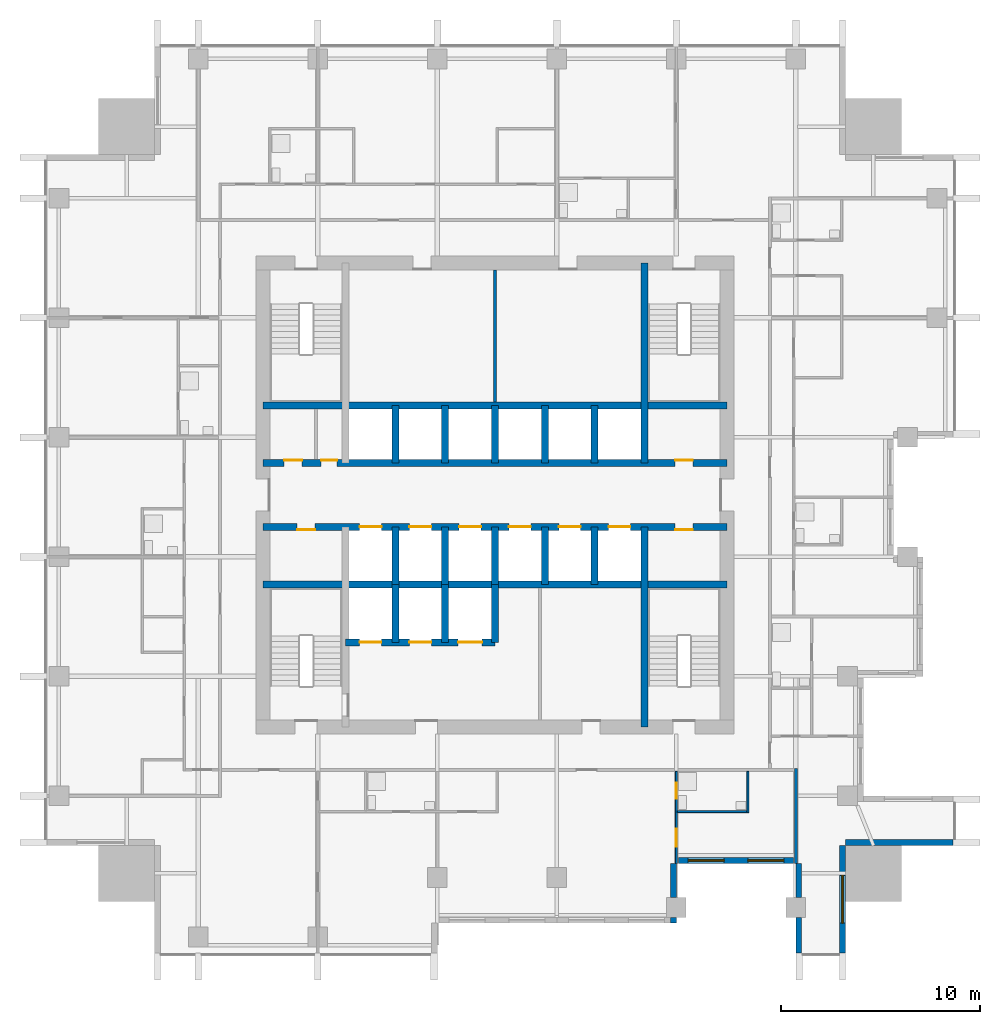
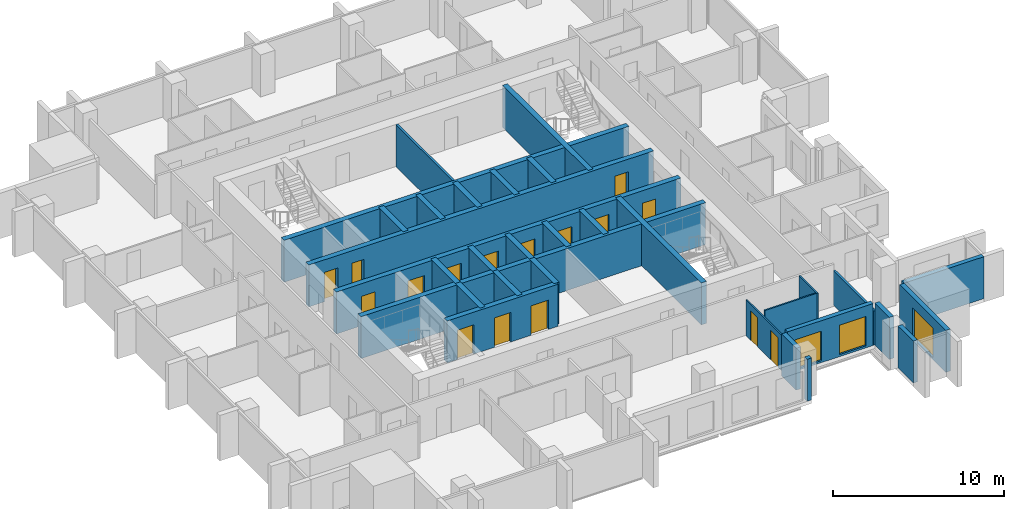
# One storey, part 5 of 10: 32 walls, 16 doors, 3 windows, 19 openings.
"""IFC4 building model written with IfcOpenShell, lengths in metres."""

from ifc_helpers import new_model, si_unit, direction, frame, frame_2d, origin, place, context, subcontext, project, spatial, rectangle, extrude, material, layer, layer_set, type_object, element, fill, save


model = new_model("IFC4")

# Units and contexts
model_context = context("Model", 3, precision=1e-05, world=origin(), true_north=direction((0.0, 1.0)))
body_context = subcontext(model_context, "Body", "Model", "MODEL_VIEW")
ifc_project = project(units=[si_unit("LENGTHUNIT", "METRE"), si_unit("AREAUNIT", "SQUARE_METRE"), si_unit("VOLUMEUNIT", "CUBIC_METRE"), si_unit("PLANEANGLEUNIT", "RADIAN"), si_unit("MASSUNIT", "GRAM", prefix="KILO")], contexts=[model_context])

# Site, building, storey
site_placement = place(None, origin())
site = spatial("IfcSite", under=ifc_project, at=site_placement, CompositionType="ELEMENT")
building_placement = place(site_placement, origin())
building = spatial("IfcBuilding", under=site, at=building_placement, Name="Amberfall Residences", CompositionType="ELEMENT")
storey_placement = place(building_placement, frame((0.0, 0.0, 147.10009765625)))
storey = spatial("IfcBuildingStorey", under=building, at=storey_placement, Name="L39", CompositionType="ELEMENT", Elevation=147.10009765625)

# Walls
ifc_material_1 = material(Name="Pale stone cladding on insulated backing", Category="masonry")
ifc_layer_1 = layer(ifc_material_1, 0.300048828125)
ifc_layer_set_1 = layer_set([ifc_layer_1], Name="Bronze clad wall 300")
wall_type_1 = type_object("IfcWallType", Name="Bronze clad wall 300", PredefinedType="SOLIDWALL", material=ifc_layer_set_1)
wall_1_placement = place(storey_placement, frame((83.449951171875, 24.0, 0.0), z_axis=(0.0, 0.0, 1.0), x_axis=(0.0, 1.0, 0.0)))
element("IfcWall", 1, at=wall_1_placement, inside=storey, type_object=wall_type_1, Name="External wall L39 S", PredefinedType="SOLIDWALL", context=body_context, shape_type="SweptSolid", body=[
    extrude(rectangle(XDim=0.300048828125, YDim=0.300048828125, at=frame_2d((0.14990234375, 0.0))), origin(), (0.0, 0.0, 1.0), 3.0),
])
for number, where, z_axis, x_axis, name in (
    (2, (83.449951171875, 25.300048828125, 0.0), (0.0, 0.0, 1.0), (0.0, 1.0, 0.0), "External wall L39 S"),
    (3, (89.75, 27.0, 0.0), (0.0, 0.0, 1.0), (0.0, -1.0, 0.0), "External wall L39 S"),
):
    element("IfcWall", number, at=place(storey_placement, frame(where, z_axis=z_axis, x_axis=x_axis)), inside=storey, type_object=wall_type_1, Name=name, PredefinedType="SOLIDWALL", context=body_context, shape_type="SweptSolid", body=[
        extrude(rectangle(XDim=1.699951171875, YDim=0.300048828125, at=frame_2d((0.85009765625, 0.0))), origin(), (0.0, 0.0, 1.0), 3.0),
    ])
wall_2_placement = place(storey_placement, frame((89.75, 24.300048828125, 0.0), z_axis=(0.0, 0.0, 1.0), x_axis=(0.0, -1.0, 0.0)))
element("IfcWall", 4, at=wall_2_placement, inside=storey, type_object=wall_type_1, Name="External wall L39 S", PredefinedType="SOLIDWALL", context=body_context, shape_type="SweptSolid", body=[
    extrude(rectangle(XDim=1.800048828125, YDim=0.300048828125, at=frame_2d((0.89990234375, 0.0))), origin(), (0.0, 0.0, 1.0), 3.0),
])

# Wall, opening, window
wall_3_placement = place(storey_placement, frame((91.949951171875, 22.5, 0.0), z_axis=(0.0, 0.0, 1.0), x_axis=(0.0, 1.0, 0.0)))
wall_3 = element("IfcWall", 5, at=wall_3_placement, inside=storey, type_object=wall_type_1, Name="External wall L39 SE", PredefinedType="SOLIDWALL", context=body_context, shape_type="SweptSolid", body=[
    extrude(rectangle(XDim=5.39990234375, YDim=0.300048828125, at=frame_2d((2.699951171875, 0.0))), origin(), (0.0, 0.0, 1.0), 3.0),
])
opening_1_placement = place(wall_3_placement, frame((1.5, 0.0, 0.14990234375)))
opening_1 = element("IfcOpeningElement", 6, at=opening_1_placement, cuts=wall_3, Name="Opening WN5", PredefinedType="OPENING", context=body_context, shape_type="SweptSolid", body=[
    extrude(rectangle(XDim=2.39990234375, YDim=2.10009765625, at=frame_2d((1.199951171875, 1.050048828125))), frame((0.0, 0.159912109375, 0.0), z_axis=(0.0, -1.0, 0.0), x_axis=(1.0, 0.0, 0.0)), (0.0, 0.0, 1.0), 0.320068359375),
])
ifc_material_2 = material(Name="Bronze aluminium framed glazing", Category="aluminium")
window_type_1 = type_object("IfcWindowType", Name="Glazed opening 2400 x 2100 bronze", PartitioningType="DOUBLE_PANEL_VERTICAL", PredefinedType="WINDOW", material=ifc_material_2)
window_1_placement = place(opening_1_placement, origin())
window_1 = element("IfcWindow", 7, at=window_1_placement, inside=storey, type_object=window_type_1, Name="Window L39 SE", OverallHeight=2.10009765625, OverallWidth=2.39990234375, PartitioningType="DOUBLE_PANEL_VERTICAL", PredefinedType="WINDOW", context=body_context, shape_type="SweptSolid", body=[
    extrude(rectangle(XDim=2.39990234375, YDim=2.10009765625, at=frame_2d((1.199951171875, 1.050048828125))), frame((0.0, 0.030029296875, 0.0), z_axis=(0.0, -1.0, 0.0), x_axis=(1.0, 0.0, 0.0)), (0.0, 0.0, 1.0), 0.06005859375),
])
fill(opening_1, window_1)

# Wall
wall_4_placement = place(storey_placement, frame((92.10009765625, 28.050048828125, 0.0), z_axis=(0.0, 0.0, 1.0), x_axis=(1.0, 0.0, 0.0)))
element("IfcWall", 8, at=wall_4_placement, inside=storey, type_object=wall_type_1, Name="External wall L39 SE", PredefinedType="SOLIDWALL", context=body_context, shape_type="SweptSolid", body=[
    extrude(rectangle(XDim=5.39990234375, YDim=0.300048828125, at=frame_2d((2.699951171875, 0.0))), origin(), (0.0, 0.0, 1.0), 3.0),
])

# Wall, openings, windows
wall_5_placement = place(storey_placement, frame((83.699951171875, 27.14990234375, 0.0), z_axis=(0.0, 0.0, 1.0), x_axis=(1.0, 0.0, 0.0)))
wall_5 = element("IfcWall", 9, at=wall_5_placement, inside=storey, type_object=wall_type_1, Name="Stone wall L39 S", PredefinedType="SOLIDWALL", context=body_context, shape_type="SweptSolid", body=[
    extrude(rectangle(XDim=5.7900390625, YDim=0.300048828125, at=frame_2d((2.89501953125, 0.0))), origin(), (0.0, 0.0, 1.0), 3.0),
])
opening_2_placement = place(wall_5_placement, frame((0.5, 0.0, 0.14990234375)))
opening_2 = element("IfcOpeningElement", 10, at=opening_2_placement, cuts=wall_5, Name="Opening WN6", PredefinedType="OPENING", context=body_context, shape_type="SweptSolid", body=[
    extrude(rectangle(XDim=1.800048828125, YDim=2.10009765625, at=frame_2d((0.89990234375, 1.050048828125))), frame((0.0, 0.159912109375, 0.0), z_axis=(0.0, -1.0, 0.0), x_axis=(1.0, 0.0, 0.0)), (0.0, 0.0, 1.0), 0.320068359375),
])
opening_3_placement = place(wall_5_placement, frame((3.5, 0.0, 0.14990234375)))
opening_3 = element("IfcOpeningElement", 11, at=opening_3_placement, cuts=wall_5, Name="Opening WN6", PredefinedType="OPENING", context=body_context, shape_type="SweptSolid", body=[
    extrude(rectangle(XDim=1.800048828125, YDim=2.10009765625, at=frame_2d((0.89990234375, 1.050048828125))), frame((0.0, 0.159912109375, 0.0), z_axis=(0.0, -1.0, 0.0), x_axis=(1.0, 0.0, 0.0)), (0.0, 0.0, 1.0), 0.320068359375),
])
window_type_2 = type_object("IfcWindowType", Name="Glazed opening 1800 x 2100 bronze", PartitioningType="DOUBLE_PANEL_VERTICAL", PredefinedType="WINDOW", material=ifc_material_2)
window_2_placement = place(opening_2_placement, origin())
window_2 = element("IfcWindow", 12, at=window_2_placement, inside=storey, type_object=window_type_2, Name="Window L39 S", OverallHeight=2.10009765625, OverallWidth=1.800048828125, PartitioningType="DOUBLE_PANEL_VERTICAL", PredefinedType="WINDOW", context=body_context, shape_type="SweptSolid", body=[
    extrude(rectangle(XDim=1.800048828125, YDim=2.10009765625, at=frame_2d((0.89990234375, 1.050048828125))), frame((0.0, 0.030029296875, 0.0), z_axis=(0.0, -1.0, 0.0), x_axis=(1.0, 0.0, 0.0)), (0.0, 0.0, 1.0), 0.06005859375),
])
fill(opening_2, window_2)
window_3_placement = place(opening_3_placement, origin())
window_3 = element("IfcWindow", 13, at=window_3_placement, inside=storey, type_object=window_type_2, Name="Window L39 S", OverallHeight=2.10009765625, OverallWidth=1.800048828125, PartitioningType="DOUBLE_PANEL_VERTICAL", PredefinedType="WINDOW", context=body_context, shape_type="SweptSolid", body=[
    extrude(rectangle(XDim=1.800048828125, YDim=2.10009765625, at=frame_2d((0.89990234375, 1.050048828125))), frame((0.0, 0.030029296875, 0.0), z_axis=(0.0, -1.0, 0.0), x_axis=(1.0, 0.0, 0.0)), (0.0, 0.0, 1.0), 0.06005859375),
])
fill(opening_3, window_3)

# Wall
ifc_material_3 = material(Name="Concrete C60", Category="concrete")
ifc_layer_2 = layer(ifc_material_3, 0.35009765625)
ifc_layer_set_2 = layer_set([ifc_layer_2], Name="Core wall 350 C60")
wall_type_2 = type_object("IfcWallType", Name="Core wall 350 C60", PredefinedType="SHEAR", material=ifc_layer_set_2)
wall_6_placement = place(storey_placement, frame((62.85009765625, 41.0, 0.0), z_axis=(0.0, 0.0, 1.0), x_axis=(1.0, 0.0, 0.0)))
element("IfcWall", 14, at=wall_6_placement, inside=storey, type_object=wall_type_2, Name="Core wall RW6 L39 H75", PredefinedType="SHEAR", context=body_context, shape_type="SweptSolid", body=[
    extrude(rectangle(XDim=23.2998046875, YDim=0.35009765625, at=frame_2d((11.64990234375, 0.0))), origin(), (0.0, 0.0, 1.0), 3.0),
])

# Wall, openings, doors
wall_7_placement = place(storey_placement, frame((62.85009765625, 43.89990234375, 0.0), z_axis=(0.0, 0.0, 1.0), x_axis=(1.0, 0.0, 0.0)))
wall_7 = element("IfcWall", 15, at=wall_7_placement, inside=storey, type_object=wall_type_2, Name="Core wall RW6 L39 H104", PredefinedType="SHEAR", context=body_context, shape_type="SweptSolid", body=[
    extrude(rectangle(XDim=23.2998046875, YDim=0.35009765625, at=frame_2d((11.64990234375, 0.0))), origin(), (0.0, 0.0, 1.0), 3.0),
])
opening_4_placement = place(wall_7_placement, frame((1.71240234375, 0.0, 0.0)))
opening_4 = element("IfcOpeningElement", 16, at=opening_4_placement, cuts=wall_7, Name="Opening RD1", PredefinedType="OPENING", context=body_context, shape_type="SweptSolid", body=[
    extrude(rectangle(XDim=0.89990234375, YDim=2.10009765625, at=frame_2d((0.449951171875, 1.050048828125))), frame((0.0, 0.18505859375, 0.0), z_axis=(0.0, -1.0, 0.0), x_axis=(1.0, 0.0, 0.0)), (0.0, 0.0, 1.0), 0.3701171875),
])
opening_5_placement = place(wall_7_placement, frame((20.6875, 0.0, 0.0)))
opening_5 = element("IfcOpeningElement", 17, at=opening_5_placement, cuts=wall_7, Name="Opening RD1", PredefinedType="OPENING", context=body_context, shape_type="SweptSolid", body=[
    extrude(rectangle(XDim=0.89990234375, YDim=2.10009765625, at=frame_2d((0.449951171875, 1.050048828125))), frame((0.0, 0.18505859375, 0.0), z_axis=(0.0, -1.0, 0.0), x_axis=(1.0, 0.0, 0.0)), (0.0, 0.0, 1.0), 0.3701171875),
])
opening_6_placement = place(wall_7_placement, frame((4.85009765625, 0.0, 0.0)))
opening_6 = element("IfcOpeningElement", 18, at=opening_6_placement, cuts=wall_7, Name="Opening LD1", PredefinedType="OPENING", context=body_context, shape_type="SweptSolid", body=[
    extrude(rectangle(XDim=1.10009765625, YDim=2.10009765625, at=frame_2d((0.550048828125, 1.050048828125))), frame((0.0, 0.18505859375, 0.0), z_axis=(0.0, -1.0, 0.0), x_axis=(1.0, 0.0, 0.0)), (0.0, 0.0, 1.0), 0.3701171875),
])
opening_7_placement = place(wall_7_placement, frame((7.35009765625, 0.0, 0.0)))
opening_7 = element("IfcOpeningElement", 19, at=opening_7_placement, cuts=wall_7, Name="Opening LD1", PredefinedType="OPENING", context=body_context, shape_type="SweptSolid", body=[
    extrude(rectangle(XDim=1.10009765625, YDim=2.10009765625, at=frame_2d((0.550048828125, 1.050048828125))), frame((0.0, 0.18505859375, 0.0), z_axis=(0.0, -1.0, 0.0), x_axis=(1.0, 0.0, 0.0)), (0.0, 0.0, 1.0), 0.3701171875),
])
opening_8_placement = place(wall_7_placement, frame((9.85009765625, 0.0, 0.0)))
opening_8 = element("IfcOpeningElement", 20, at=opening_8_placement, cuts=wall_7, Name="Opening LD1", PredefinedType="OPENING", context=body_context, shape_type="SweptSolid", body=[
    extrude(rectangle(XDim=1.10009765625, YDim=2.10009765625, at=frame_2d((0.550048828125, 1.050048828125))), frame((0.0, 0.18505859375, 0.0), z_axis=(0.0, -1.0, 0.0), x_axis=(1.0, 0.0, 0.0)), (0.0, 0.0, 1.0), 0.3701171875),
])
opening_9_placement = place(wall_7_placement, frame((12.35009765625, 0.0, 0.0)))
opening_9 = element("IfcOpeningElement", 21, at=opening_9_placement, cuts=wall_7, Name="Opening LD1", PredefinedType="OPENING", context=body_context, shape_type="SweptSolid", body=[
    extrude(rectangle(XDim=1.10009765625, YDim=2.10009765625, at=frame_2d((0.550048828125, 1.050048828125))), frame((0.0, 0.18505859375, 0.0), z_axis=(0.0, -1.0, 0.0), x_axis=(1.0, 0.0, 0.0)), (0.0, 0.0, 1.0), 0.3701171875),
])
opening_10_placement = place(wall_7_placement, frame((14.85009765625, 0.0, 0.0)))
opening_10 = element("IfcOpeningElement", 22, at=opening_10_placement, cuts=wall_7, Name="Opening LD1", PredefinedType="OPENING", context=body_context, shape_type="SweptSolid", body=[
    extrude(rectangle(XDim=1.10009765625, YDim=2.10009765625, at=frame_2d((0.550048828125, 1.050048828125))), frame((0.0, 0.18505859375, 0.0), z_axis=(0.0, -1.0, 0.0), x_axis=(1.0, 0.0, 0.0)), (0.0, 0.0, 1.0), 0.3701171875),
])
opening_11_placement = place(wall_7_placement, frame((17.35009765625, 0.0, 0.0)))
opening_11 = element("IfcOpeningElement", 23, at=opening_11_placement, cuts=wall_7, Name="Opening LD1", PredefinedType="OPENING", context=body_context, shape_type="SweptSolid", body=[
    extrude(rectangle(XDim=1.10009765625, YDim=2.10009765625, at=frame_2d((0.550048828125, 1.050048828125))), frame((0.0, 0.18505859375, 0.0), z_axis=(0.0, -1.0, 0.0), x_axis=(1.0, 0.0, 0.0)), (0.0, 0.0, 1.0), 0.3701171875),
])
ifc_material_4 = material(Name="Steel fire door set", Category="steel")
door_type_1 = type_object("IfcDoorType", Name="Lift landing door 1100 x 2100", OperationType="DOUBLE_DOOR_SLIDING", PredefinedType="DOOR", material=ifc_material_4)
door_1_placement = place(opening_6_placement, origin())
door_1 = element("IfcDoor", 24, at=door_1_placement, inside=storey, type_object=door_type_1, Name="Landing door LP1 L39", OperationType="DOUBLE_DOOR_SLIDING", OverallHeight=2.10009765625, OverallWidth=1.10009765625, PredefinedType="DOOR", context=body_context, shape_type="SweptSolid", body=[
    extrude(rectangle(XDim=1.10009765625, YDim=2.10009765625, at=frame_2d((0.550048828125, 1.050048828125))), frame((0.0, 0.02490234375, 0.0), z_axis=(0.0, -1.0, 0.0), x_axis=(1.0, 0.0, 0.0)), (0.0, 0.0, 1.0), 0.050048828125),
])
fill(opening_6, door_1)
door_2_placement = place(opening_7_placement, origin())
door_2 = element("IfcDoor", 25, at=door_2_placement, inside=storey, type_object=door_type_1, Name="Landing door LP2 L39", OperationType="DOUBLE_DOOR_SLIDING", OverallHeight=2.10009765625, OverallWidth=1.10009765625, PredefinedType="DOOR", context=body_context, shape_type="SweptSolid", body=[
    extrude(rectangle(XDim=1.10009765625, YDim=2.10009765625, at=frame_2d((0.550048828125, 1.050048828125))), frame((0.0, 0.02490234375, 0.0), z_axis=(0.0, -1.0, 0.0), x_axis=(1.0, 0.0, 0.0)), (0.0, 0.0, 1.0), 0.050048828125),
])
fill(opening_7, door_2)
door_3_placement = place(opening_8_placement, origin())
door_3 = element("IfcDoor", 26, at=door_3_placement, inside=storey, type_object=door_type_1, Name="Landing door LP3 L39", OperationType="DOUBLE_DOOR_SLIDING", OverallHeight=2.10009765625, OverallWidth=1.10009765625, PredefinedType="DOOR", context=body_context, shape_type="SweptSolid", body=[
    extrude(rectangle(XDim=1.10009765625, YDim=2.10009765625, at=frame_2d((0.550048828125, 1.050048828125))), frame((0.0, 0.02490234375, 0.0), z_axis=(0.0, -1.0, 0.0), x_axis=(1.0, 0.0, 0.0)), (0.0, 0.0, 1.0), 0.050048828125),
])
fill(opening_8, door_3)
door_4_placement = place(opening_9_placement, origin())
door_4 = element("IfcDoor", 27, at=door_4_placement, inside=storey, type_object=door_type_1, Name="Landing door LP4 L39", OperationType="DOUBLE_DOOR_SLIDING", OverallHeight=2.10009765625, OverallWidth=1.10009765625, PredefinedType="DOOR", context=body_context, shape_type="SweptSolid", body=[
    extrude(rectangle(XDim=1.10009765625, YDim=2.10009765625, at=frame_2d((0.550048828125, 1.050048828125))), frame((0.0, 0.02490234375, 0.0), z_axis=(0.0, -1.0, 0.0), x_axis=(1.0, 0.0, 0.0)), (0.0, 0.0, 1.0), 0.050048828125),
])
fill(opening_9, door_4)
door_5_placement = place(opening_10_placement, origin())
door_5 = element("IfcDoor", 28, at=door_5_placement, inside=storey, type_object=door_type_1, Name="Landing door LP5 L39", OperationType="DOUBLE_DOOR_SLIDING", OverallHeight=2.10009765625, OverallWidth=1.10009765625, PredefinedType="DOOR", context=body_context, shape_type="SweptSolid", body=[
    extrude(rectangle(XDim=1.10009765625, YDim=2.10009765625, at=frame_2d((0.550048828125, 1.050048828125))), frame((0.0, 0.02490234375, 0.0), z_axis=(0.0, -1.0, 0.0), x_axis=(1.0, 0.0, 0.0)), (0.0, 0.0, 1.0), 0.050048828125),
])
fill(opening_10, door_5)
door_6_placement = place(opening_11_placement, origin())
door_6 = element("IfcDoor", 29, at=door_6_placement, inside=storey, type_object=door_type_1, Name="Landing door LP6 L39", OperationType="DOUBLE_DOOR_SLIDING", OverallHeight=2.10009765625, OverallWidth=1.10009765625, PredefinedType="DOOR", context=body_context, shape_type="SweptSolid", body=[
    extrude(rectangle(XDim=1.10009765625, YDim=2.10009765625, at=frame_2d((0.550048828125, 1.050048828125))), frame((0.0, 0.02490234375, 0.0), z_axis=(0.0, -1.0, 0.0), x_axis=(1.0, 0.0, 0.0)), (0.0, 0.0, 1.0), 0.050048828125),
])
fill(opening_11, door_6)
door_type_2 = type_object("IfcDoorType", Name="Service room door 900 x 2100", OperationType="SINGLE_SWING_LEFT", PredefinedType="DOOR", material=ifc_material_4)
door_7_placement = place(opening_4_placement, origin())
door_7 = element("IfcDoor", 30, at=door_7_placement, inside=storey, type_object=door_type_2, Name="RD1 L39", OperationType="SINGLE_SWING_LEFT", OverallHeight=2.10009765625, OverallWidth=0.89990234375, PredefinedType="DOOR", context=body_context, shape_type="SweptSolid", body=[
    extrude(rectangle(XDim=0.89990234375, YDim=2.10009765625, at=frame_2d((0.449951171875, 1.050048828125))), frame((0.0, -0.1123046875, 0.0), z_axis=(0.0, -1.0, 0.0), x_axis=(1.0, 0.0, 0.0)), (0.0, 0.0, 1.0), 0.050048828125),
])
fill(opening_4, door_7)
door_8_placement = place(opening_5_placement, origin())
door_8 = element("IfcDoor", 31, at=door_8_placement, inside=storey, type_object=door_type_2, Name="RD1 L39", OperationType="SINGLE_SWING_LEFT", OverallHeight=2.10009765625, OverallWidth=0.89990234375, PredefinedType="DOOR", context=body_context, shape_type="SweptSolid", body=[
    extrude(rectangle(XDim=0.89990234375, YDim=2.10009765625, at=frame_2d((0.449951171875, 1.050048828125))), frame((0.0, -0.1123046875, 0.0), z_axis=(0.0, -1.0, 0.0), x_axis=(1.0, 0.0, 0.0)), (0.0, 0.0, 1.0), 0.050048828125),
])
fill(opening_5, door_8)

wall_8_placement = place(storey_placement, frame((62.85009765625, 47.10009765625, 0.0), z_axis=(0.0, 0.0, 1.0), x_axis=(1.0, 0.0, 0.0)))
wall_8 = element("IfcWall", 32, at=wall_8_placement, inside=storey, type_object=wall_type_2, Name="Core wall RW6 L39 H136", PredefinedType="SHEAR", context=body_context, shape_type="SweptSolid", body=[
    extrude(rectangle(XDim=23.2998046875, YDim=0.35009765625, at=frame_2d((11.64990234375, 0.0))), origin(), (0.0, 0.0, 1.0), 3.0),
])
opening_12_placement = place(wall_8_placement, frame((1.06005859375, 0.0, 0.0)))
opening_12 = element("IfcOpeningElement", 33, at=opening_12_placement, cuts=wall_8, Name="Opening RD1", PredefinedType="OPENING", context=body_context, shape_type="SweptSolid", body=[
    extrude(rectangle(XDim=0.89990234375, YDim=2.10009765625, at=frame_2d((0.449951171875, 1.050048828125))), frame((0.0, 0.18505859375, 0.0), z_axis=(0.0, -1.0, 0.0), x_axis=(1.0, 0.0, 0.0)), (0.0, 0.0, 1.0), 0.3701171875),
])
opening_13_placement = place(wall_8_placement, frame((2.922607421875, 0.0, 0.0)))
opening_13 = element("IfcOpeningElement", 34, at=opening_13_placement, cuts=wall_8, Name="Opening RD2", PredefinedType="OPENING", context=body_context, shape_type="SweptSolid", body=[
    extrude(rectangle(XDim=0.800048828125, YDim=2.10009765625, at=frame_2d((0.39990234375, 1.050048828125))), frame((0.0, 0.18505859375, 0.0), z_axis=(0.0, -1.0, 0.0), x_axis=(1.0, 0.0, 0.0)), (0.0, 0.0, 1.0), 0.3701171875),
])
opening_14_placement = place(wall_8_placement, frame((20.6875, 0.0, 0.0)))
opening_14 = element("IfcOpeningElement", 35, at=opening_14_placement, cuts=wall_8, Name="Opening RD1", PredefinedType="OPENING", context=body_context, shape_type="SweptSolid", body=[
    extrude(rectangle(XDim=0.89990234375, YDim=2.10009765625, at=frame_2d((0.449951171875, 1.050048828125))), frame((0.0, 0.18505859375, 0.0), z_axis=(0.0, -1.0, 0.0), x_axis=(1.0, 0.0, 0.0)), (0.0, 0.0, 1.0), 0.3701171875),
])
door_type_3 = type_object("IfcDoorType", Name="Service room door 800 x 2100", OperationType="SINGLE_SWING_LEFT", PredefinedType="DOOR", material=ifc_material_4)
door_9_placement = place(opening_13_placement, origin())
door_9 = element("IfcDoor", 36, at=door_9_placement, inside=storey, type_object=door_type_3, Name="RD2 L39", OperationType="SINGLE_SWING_RIGHT", OverallHeight=2.10009765625, OverallWidth=0.800048828125, PredefinedType="DOOR", context=body_context, shape_type="SweptSolid", body=[
    extrude(rectangle(XDim=0.800048828125, YDim=2.10009765625, at=frame_2d((0.39990234375, 1.050048828125))), frame((0.0, 0.16259765625, 0.0), z_axis=(0.0, -1.0, 0.0), x_axis=(1.0, 0.0, 0.0)), (0.0, 0.0, 1.0), 0.050048828125),
])
fill(opening_13, door_9)
door_10_placement = place(opening_12_placement, origin())
door_10 = element("IfcDoor", 37, at=door_10_placement, inside=storey, type_object=door_type_2, Name="RD1 L39", OperationType="SINGLE_SWING_LEFT", OverallHeight=2.10009765625, OverallWidth=0.89990234375, PredefinedType="DOOR", context=body_context, shape_type="SweptSolid", body=[
    extrude(rectangle(XDim=0.89990234375, YDim=2.10009765625, at=frame_2d((0.449951171875, 1.050048828125))), frame((0.0, 0.16259765625, 0.0), z_axis=(0.0, -1.0, 0.0), x_axis=(1.0, 0.0, 0.0)), (0.0, 0.0, 1.0), 0.050048828125),
])
fill(opening_12, door_10)
door_11_placement = place(opening_14_placement, origin())
door_11 = element("IfcDoor", 38, at=door_11_placement, inside=storey, type_object=door_type_2, Name="RD1 L39", OperationType="SINGLE_SWING_LEFT", OverallHeight=2.10009765625, OverallWidth=0.89990234375, PredefinedType="DOOR", context=body_context, shape_type="SweptSolid", body=[
    extrude(rectangle(XDim=0.89990234375, YDim=2.10009765625, at=frame_2d((0.449951171875, 1.050048828125))), frame((0.0, 0.16259765625, 0.0), z_axis=(0.0, -1.0, 0.0), x_axis=(1.0, 0.0, 0.0)), (0.0, 0.0, 1.0), 0.050048828125),
])
fill(opening_14, door_11)

# Walls
wall_9_placement = place(storey_placement, frame((62.85009765625, 50.0, 0.0), z_axis=(0.0, 0.0, 1.0), x_axis=(1.0, 0.0, 0.0)))
element("IfcWall", 39, at=wall_9_placement, inside=storey, type_object=wall_type_2, Name="Core wall RW6 L39 H165", PredefinedType="SHEAR", context=body_context, shape_type="SweptSolid", body=[
    extrude(rectangle(XDim=23.2998046875, YDim=0.35009765625, at=frame_2d((11.64990234375, 0.0))), origin(), (0.0, 0.0, 1.0), 3.0),
])
for number, where, z_axis, x_axis, name in (
    (40, (82.0, 33.85009765625, 0.0), (0.0, 0.0, 1.0), (0.0, 1.0, 0.0), "Core wall RW6 L39 V195S"),
    (41, (82.0, 47.10009765625, 0.0), (0.0, 0.0, 1.0), (0.0, 1.0, 0.0), "Core wall RW6 L39 V195N"),
):
    element("IfcWall", number, at=place(storey_placement, frame(where, z_axis=z_axis, x_axis=x_axis)), inside=storey, type_object=wall_type_2, Name=name, PredefinedType="SHEAR", context=body_context, shape_type="SweptSolid", body=[
        extrude(rectangle(XDim=10.0498046875, YDim=0.35009765625, at=frame_2d((5.02490234375, 0.0))), origin(), (0.0, 0.0, 1.0), 3.0),
    ])
for number, where, z_axis, x_axis, name in (
    (42, (69.5, 41.0, 0.0), (0.0, 0.0, 1.0), (0.0, 1.0, 0.0), "Core wall RW6 L39 LPD1"),
    (43, (69.5, 47.10009765625, 0.0), (0.0, 0.0, 1.0), (0.0, 1.0, 0.0), "Core wall RW6 L39 HPD1"),
    (44, (72.0, 41.0, 0.0), (0.0, 0.0, 1.0), (0.0, 1.0, 0.0), "Core wall RW6 L39 LPD2"),
    (45, (72.0, 47.10009765625, 0.0), (0.0, 0.0, 1.0), (0.0, 1.0, 0.0), "Core wall RW6 L39 HPD2"),
    (46, (74.5, 41.0, 0.0), (0.0, 0.0, 1.0), (0.0, 1.0, 0.0), "Core wall RW6 L39 LPD3"),
    (47, (74.5, 47.10009765625, 0.0), (0.0, 0.0, 1.0), (0.0, 1.0, 0.0), "Core wall RW6 L39 HPD3"),
    (48, (77.0, 41.0, 0.0), (0.0, 0.0, 1.0), (0.0, 1.0, 0.0), "Core wall RW6 L39 LPD4"),
    (49, (77.0, 47.10009765625, 0.0), (0.0, 0.0, 1.0), (0.0, 1.0, 0.0), "Core wall RW6 L39 HPD4"),
    (50, (79.5, 41.0, 0.0), (0.0, 0.0, 1.0), (0.0, 1.0, 0.0), "Core wall RW6 L39 LPD5"),
    (51, (79.5, 47.10009765625, 0.0), (0.0, 0.0, 1.0), (0.0, 1.0, 0.0), "Core wall RW6 L39 HPD5"),
):
    element("IfcWall", number, at=place(storey_placement, frame(where, z_axis=z_axis, x_axis=x_axis)), inside=storey, type_object=wall_type_2, Name=name, PredefinedType="SHEAR", context=body_context, shape_type="SweptSolid", body=[
        extrude(rectangle(XDim=2.89990234375, YDim=0.35009765625, at=frame_2d((1.449951171875, 0.0))), origin(), (0.0, 0.0, 1.0), 3.0),
    ])

# Wall, openings, doors
wall_10_placement = place(storey_placement, frame((67.0, 38.10009765625, 0.0), z_axis=(0.0, 0.0, 1.0), x_axis=(1.0, 0.0, 0.0)))
wall_10 = element("IfcWall", 52, at=wall_10_placement, inside=storey, type_object=wall_type_2, Name="Core wall RW6 L39 FFF", PredefinedType="SHEAR", context=body_context, shape_type="SweptSolid", body=[
    extrude(rectangle(XDim=7.5, YDim=0.35009765625, at=frame_2d((3.75, 0.0))), origin(), (0.0, 0.0, 1.0), 3.0),
])
opening_15_placement = place(wall_10_placement, frame((0.699951171875, 0.0, 0.0)))
opening_15 = element("IfcOpeningElement", 53, at=opening_15_placement, cuts=wall_10, Name="Opening LD2", PredefinedType="OPENING", context=body_context, shape_type="SweptSolid", body=[
    extrude(rectangle(XDim=1.10009765625, YDim=2.10009765625, at=frame_2d((0.550048828125, 1.050048828125))), frame((0.0, 0.18505859375, 0.0), z_axis=(0.0, -1.0, 0.0), x_axis=(1.0, 0.0, 0.0)), (0.0, 0.0, 1.0), 0.3701171875),
])
opening_16_placement = place(wall_10_placement, frame((3.199951171875, 0.0, 0.0)))
opening_16 = element("IfcOpeningElement", 54, at=opening_16_placement, cuts=wall_10, Name="Opening LD2", PredefinedType="OPENING", context=body_context, shape_type="SweptSolid", body=[
    extrude(rectangle(XDim=1.10009765625, YDim=2.10009765625, at=frame_2d((0.550048828125, 1.050048828125))), frame((0.0, 0.18505859375, 0.0), z_axis=(0.0, -1.0, 0.0), x_axis=(1.0, 0.0, 0.0)), (0.0, 0.0, 1.0), 0.3701171875),
])
opening_17_placement = place(wall_10_placement, frame((5.64990234375, 0.0, 0.0)))
opening_17 = element("IfcOpeningElement", 55, at=opening_17_placement, cuts=wall_10, Name="Opening LD3", PredefinedType="OPENING", context=body_context, shape_type="SweptSolid", body=[
    extrude(rectangle(XDim=1.199951171875, YDim=2.10009765625, at=frame_2d((0.60009765625, 1.050048828125))), frame((0.0, 0.18505859375, 0.0), z_axis=(0.0, -1.0, 0.0), x_axis=(1.0, 0.0, 0.0)), (0.0, 0.0, 1.0), 0.3701171875),
])
door_type_4 = type_object("IfcDoorType", Name="Firefighting lift landing door 1100 x 2100", OperationType="DOUBLE_DOOR_SLIDING", PredefinedType="DOOR", material=ifc_material_4)
door_12_placement = place(opening_15_placement, origin())
door_12 = element("IfcDoor", 56, at=door_12_placement, inside=storey, type_object=door_type_4, Name="Landing door FF1 L39", OperationType="DOUBLE_DOOR_SLIDING", OverallHeight=2.10009765625, OverallWidth=1.10009765625, PredefinedType="DOOR", context=body_context, shape_type="SweptSolid", body=[
    extrude(rectangle(XDim=1.10009765625, YDim=2.10009765625, at=frame_2d((0.550048828125, 1.050048828125))), frame((0.0, 0.02490234375, 0.0), z_axis=(0.0, -1.0, 0.0), x_axis=(1.0, 0.0, 0.0)), (0.0, 0.0, 1.0), 0.050048828125),
])
fill(opening_15, door_12)
door_13_placement = place(opening_16_placement, origin())
door_13 = element("IfcDoor", 57, at=door_13_placement, inside=storey, type_object=door_type_4, Name="Landing door FF2 L39", OperationType="DOUBLE_DOOR_SLIDING", OverallHeight=2.10009765625, OverallWidth=1.10009765625, PredefinedType="DOOR", context=body_context, shape_type="SweptSolid", body=[
    extrude(rectangle(XDim=1.10009765625, YDim=2.10009765625, at=frame_2d((0.550048828125, 1.050048828125))), frame((0.0, 0.02490234375, 0.0), z_axis=(0.0, -1.0, 0.0), x_axis=(1.0, 0.0, 0.0)), (0.0, 0.0, 1.0), 0.050048828125),
])
fill(opening_16, door_13)
door_type_5 = type_object("IfcDoorType", Name="Service lift landing door 1200 x 2100", OperationType="DOUBLE_DOOR_SLIDING", PredefinedType="DOOR", material=ifc_material_4)
door_14_placement = place(opening_17_placement, origin())
door_14 = element("IfcDoor", 58, at=door_14_placement, inside=storey, type_object=door_type_5, Name="Landing door SL1 L39", OperationType="DOUBLE_DOOR_SLIDING", OverallHeight=2.10009765625, OverallWidth=1.199951171875, PredefinedType="DOOR", context=body_context, shape_type="SweptSolid", body=[
    extrude(rectangle(XDim=1.199951171875, YDim=2.10009765625, at=frame_2d((0.60009765625, 1.050048828125))), frame((0.0, 0.02490234375, 0.0), z_axis=(0.0, -1.0, 0.0), x_axis=(1.0, 0.0, 0.0)), (0.0, 0.0, 1.0), 0.050048828125),
])
fill(opening_17, door_14)

# Walls
for number, where, z_axis, x_axis, name in (
    (59, (69.5, 38.10009765625, 0.0), (0.0, 0.0, 1.0), (0.0, 1.0, 0.0), "Core wall RW6 L39 FFD1"),
    (60, (72.0, 38.10009765625, 0.0), (0.0, 0.0, 1.0), (0.0, 1.0, 0.0), "Core wall RW6 L39 FFD2"),
    (61, (74.5, 38.10009765625, 0.0), (0.0, 0.0, 1.0), (0.0, 1.0, 0.0), "Core wall RW6 L39 FFD3"),
):
    element("IfcWall", number, at=place(storey_placement, frame(where, z_axis=z_axis, x_axis=x_axis)), inside=storey, type_object=wall_type_2, Name=name, PredefinedType="SHEAR", context=body_context, shape_type="SweptSolid", body=[
        extrude(rectangle(XDim=2.89990234375, YDim=0.35009765625, at=frame_2d((1.449951171875, 0.0))), origin(), (0.0, 0.0, 1.0), 3.0),
    ])

# Wall, openings, doors
ifc_material_5 = material(Name="Gypsum board on metal stud")
ifc_layer_3 = layer(ifc_material_5, 0.10009765625)
ifc_layer_set_3 = layer_set([ifc_layer_3], Name="Flat partition 100")
wall_type_3 = type_object("IfcWallType", Name="Flat partition 100", PredefinedType="PARTITIONING", material=ifc_layer_set_3)
wall_11_placement = place(storey_placement, frame((83.60009765625, 31.625, 0.0), z_axis=(0.0, 0.0, 1.0), x_axis=(0.0, -1.0, 0.0)))
wall_11 = element("IfcWall", 62, at=wall_11_placement, inside=storey, type_object=wall_type_3, Name="Partition 014", PredefinedType="PARTITIONING", context=body_context, shape_type="SweptSolid", body=[
    extrude(rectangle(XDim=4.625, YDim=0.10009765625, at=frame_2d((2.3125, 0.0))), origin(), (0.0, 0.0, 1.0), 2.539794921875),
])
opening_18_placement = place(wall_11_placement, frame((2.875, 0.0, 0.0)))
opening_18 = element("IfcOpeningElement", 63, at=opening_18_placement, cuts=wall_11, Name="Opening D41", PredefinedType="OPENING", context=body_context, shape_type="SweptSolid", body=[
    extrude(rectangle(XDim=0.89990234375, YDim=2.10009765625, at=frame_2d((0.449951171875, 1.050048828125))), frame((0.0, 0.06005859375, 0.0), z_axis=(0.0, -1.0, 0.0), x_axis=(1.0, 0.0, 0.0)), (0.0, 0.0, 1.0), 0.1201171875),
])
opening_19_placement = place(wall_11_placement, frame((0.574951171875, 0.0, 0.0)))
opening_19 = element("IfcOpeningElement", 64, at=opening_19_placement, cuts=wall_11, Name="Opening D42", PredefinedType="OPENING", context=body_context, shape_type="SweptSolid", body=[
    extrude(rectangle(XDim=0.800048828125, YDim=2.10009765625, at=frame_2d((0.39990234375, 1.050048828125))), frame((0.0, 0.06005859375, 0.0), z_axis=(0.0, -1.0, 0.0), x_axis=(1.0, 0.0, 0.0)), (0.0, 0.0, 1.0), 0.1201171875),
])
ifc_material_6 = material(Name="Timber", Category="wood")
door_type_6 = type_object("IfcDoorType", Name="Bathroom door 800 x 2100", OperationType="SINGLE_SWING_LEFT", PredefinedType="DOOR", material=ifc_material_6)
door_15_placement = place(opening_19_placement, origin())
door_15 = element("IfcDoor", 65, at=door_15_placement, inside=storey, type_object=door_type_6, Name="Door 3902 bath1", OperationType="SINGLE_SWING_LEFT", OverallHeight=2.10009765625, OverallWidth=0.800048828125, PredefinedType="DOOR", context=body_context, shape_type="SweptSolid", body=[
    extrude(rectangle(XDim=0.800048828125, YDim=2.10009765625, at=frame_2d((0.39990234375, 1.050048828125))), frame((0.0, 0.02490234375, 0.0), z_axis=(0.0, -1.0, 0.0), x_axis=(1.0, 0.0, 0.0)), (0.0, 0.0, 1.0), 0.050048828125),
])
fill(opening_19, door_15)
door_type_7 = type_object("IfcDoorType", Name="Internal door 900 x 2100", OperationType="SINGLE_SWING_LEFT", PredefinedType="DOOR", material=ifc_material_6)
door_16_placement = place(opening_18_placement, origin())
door_16 = element("IfcDoor", 66, at=door_16_placement, inside=storey, type_object=door_type_7, Name="Door 3902 bedroom1", OperationType="SINGLE_SWING_LEFT", OverallHeight=2.10009765625, OverallWidth=0.89990234375, PredefinedType="DOOR", context=body_context, shape_type="SweptSolid", body=[
    extrude(rectangle(XDim=0.89990234375, YDim=2.10009765625, at=frame_2d((0.449951171875, 1.050048828125))), frame((0.0, 0.02490234375, 0.0), z_axis=(0.0, -1.0, 0.0), x_axis=(1.0, 0.0, 0.0)), (0.0, 0.0, 1.0), 0.050048828125),
])
fill(opening_18, door_16)

# Walls
wall_12_placement = place(storey_placement, frame((87.199951171875, 29.550048828125, 0.0), z_axis=(0.0, 0.0, 1.0), x_axis=(0.0, 1.0, 0.0)))
element("IfcWall", 67, at=wall_12_placement, inside=storey, type_object=wall_type_3, Name="Partition 016", PredefinedType="PARTITIONING", context=body_context, shape_type="SweptSolid", body=[
    extrude(rectangle(XDim=2.074951171875, YDim=0.10009765625, at=frame_2d((1.03759765625, 0.0))), origin(), (0.0, 0.0, 1.0), 3.0),
])
wall_13_placement = place(storey_placement, frame((83.64990234375, 29.60009765625, 0.0), z_axis=(0.0, 0.0, 1.0), x_axis=(1.0, 0.0, 0.0)))
element("IfcWall", 68, at=wall_13_placement, inside=storey, type_object=wall_type_3, Name="Partition 042", PredefinedType="PARTITIONING", context=body_context, shape_type="SweptSolid", body=[
    extrude(rectangle(XDim=3.5, YDim=0.10009765625, at=frame_2d((1.75, 0.0))), origin(), (0.0, 0.0, 1.0), 3.0),
])
ifc_material_7 = material(Name="Blockwork, plastered", Category="masonry")
ifc_layer_4 = layer(ifc_material_7, 0.14990234375)
ifc_layer_set_4 = layer_set([ifc_layer_4], Name="Flat separating wall 150")
wall_type_4 = type_object("IfcWallType", Name="Flat separating wall 150", PredefinedType="PARTITIONING", material=ifc_layer_set_4)
wall_14_placement = place(storey_placement, frame((89.60009765625, 27.0, 0.0), z_axis=(0.0, 0.0, 1.0), x_axis=(0.0, 1.0, 0.0)))
element("IfcWall", 69, at=wall_14_placement, inside=storey, type_object=wall_type_4, Name="Separating wall 048", PredefinedType="PARTITIONING", context=body_context, shape_type="SweptSolid", body=[
    extrude(rectangle(XDim=4.77490234375, YDim=0.14990234375, at=frame_2d((2.387451171875, 0.0))), origin(), (0.0, 0.0, 1.0), 2.4599609375),
])
ifc_material_8 = material(Name="Concrete blockwork", Category="masonry")
ifc_layer_5 = layer(ifc_material_8, 0.14990234375)
ifc_layer_set_5 = layer_set([ifc_layer_5], Name="Riser wall 150")
wall_type_5 = type_object("IfcWallType", Name="Riser wall 150", PredefinedType="PLUMBINGWALL", material=ifc_layer_set_5)
wall_15_placement = place(storey_placement, frame((74.5, 50.175048828125, 0.0), z_axis=(0.0, 0.0, 1.0), x_axis=(0.0, 1.0, 0.0)))
element("IfcWall", 70, at=wall_15_placement, inside=storey, type_object=wall_type_5, Name="L39 core wall N0", PredefinedType="PLUMBINGWALL", context=body_context, shape_type="SweptSolid", body=[
    extrude(rectangle(XDim=6.625, YDim=0.14990234375, at=frame_2d((3.3125, 0.0))), origin(), (0.0, 0.0, 1.0), 3.0),
])

save(model, "model.ifc")
